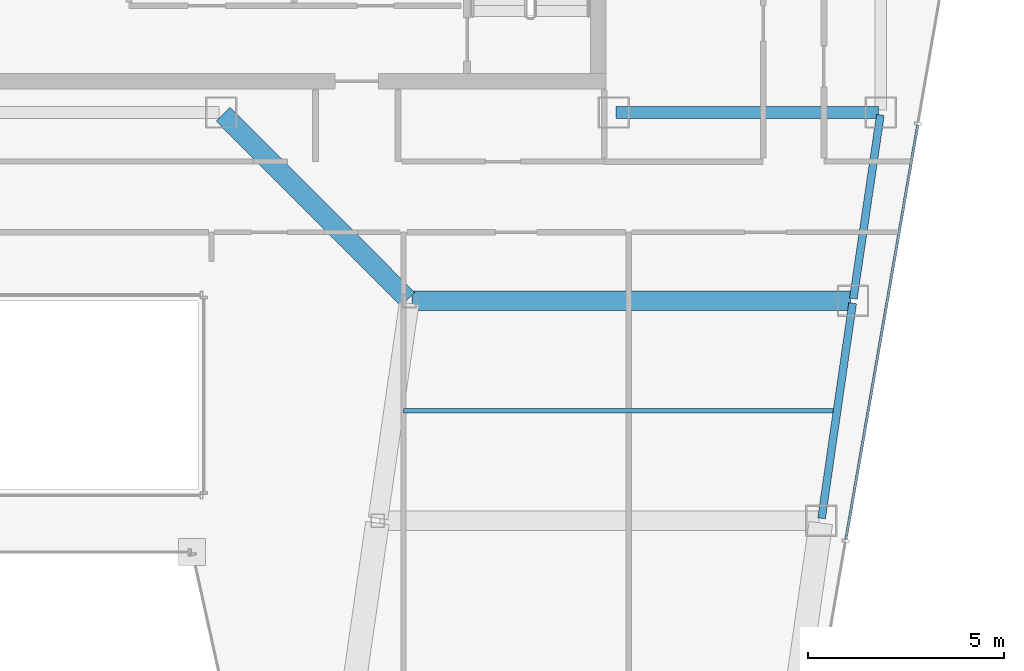
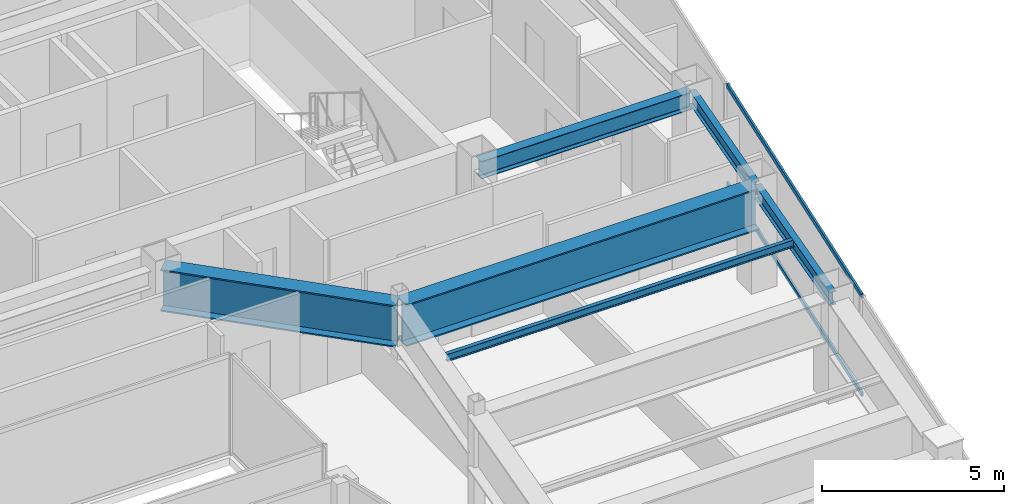
# One storey, part 19 of 35: 6 beams, 2 members, 1 element without a shape of its own.
"""IFC4 building model written with IfcOpenShell, lengths in metres."""

from ifc_helpers import new_model, si_unit, direction, frame, origin, origin_2d, place, context, subcontext, project, spatial, hollow_rectangle, i_section, extrude, material, material_profile, profile_set, type_object, element, aggregate, save


model = new_model("IFC4")

# Units and contexts
model_context = context("Model", 3, precision=1e-05, world=origin(), true_north=direction((0.0, 1.0)))
body_context = subcontext(model_context, "Body", "Model", "MODEL_VIEW")
ifc_project = project(units=[si_unit("LENGTHUNIT", "METRE"), si_unit("AREAUNIT", "SQUARE_METRE"), si_unit("VOLUMEUNIT", "CUBIC_METRE"), si_unit("PLANEANGLEUNIT", "RADIAN"), si_unit("MASSUNIT", "GRAM", prefix="KILO")], contexts=[model_context])

# Site, building, storey
site_placement = place(None, origin())
site = spatial("IfcSite", under=ifc_project, at=site_placement, CompositionType="ELEMENT")
building_placement = place(site_placement, origin())
building = spatial("IfcBuilding", under=site, at=building_placement, Name="Saevonmaru Cultural Tower", CompositionType="ELEMENT")
storey_placement = place(building_placement, frame((0.0, 0.0, 249.60009765625)))
storey = spatial("IfcBuildingStorey", under=building, at=storey_placement, Name="L58", CompositionType="ELEMENT", Elevation=249.60009765625)

# Beams
ifc_material_1 = material(Name="Steel SM355", Category="steel")
ifc_material_profile_1 = material_profile(ifc_material_1, i_section(OverallWidth=0.300048828125, OverallDepth=0.587890625, WebThickness=0.011962890625, FlangeThickness=0.02001953125, FilletRadius=0.02392578125, at=origin_2d()), Name="H-588x300x12x20")
ifc_profile_set_1 = profile_set([ifc_material_profile_1], Name="Steel SM355")
beam_type_1 = type_object("IfcBeamType", Name="BM-G-H588", PredefinedType="BEAM", material=ifc_profile_set_1)
beam_1_placement = place(storey_placement, frame((46.4599609375, 42.39990234375, 3.055908203125), z_axis=(1.0, 0.0, 0.0), x_axis=(0.0, 1.0, 0.0)))
element("IfcBeam", 1, at=beam_1_placement, inside=storey, type_object=beam_type_1, Name="L58 Core South Girder 5", PredefinedType="BEAM", context=body_context, shape_type="SweptSolid", body=[
    extrude(i_section(OverallWidth=0.300048828125, OverallDepth=0.587890625, WebThickness=0.011962890625, FlangeThickness=0.02001953125, FilletRadius=0.02392578125, at=origin_2d()), origin(), (0.0, 0.0, 1.0), 6.679931640625),
])
ifc_material_profile_2 = material_profile(ifc_material_1, i_section(OverallWidth=0.125, OverallDepth=0.25, WebThickness=0.006103515625, FlangeThickness=0.009033203125, FilletRadius=0.008056640625, at=origin_2d()), Name="H-250x125x6x9")
ifc_profile_set_2 = profile_set([ifc_material_profile_2], Name="Steel SM355")
beam_type_2 = type_object("IfcBeamType", Name="BM-J-H250", PredefinedType="JOIST", material=ifc_profile_set_2)
beam_2_placement = place(storey_placement, frame((41.04541015625, 34.800048828125, 3.224853515625), z_axis=(1.0, 0.0, 0.0), x_axis=(0.0, 1.0, 0.0)))
element("IfcBeam", 2, at=beam_2_placement, inside=storey, type_object=beam_type_2, Name="L58 East Wing Floor Joist 3", PredefinedType="JOIST", context=body_context, shape_type="SweptSolid", body=[
    extrude(i_section(OverallWidth=0.125, OverallDepth=0.25, WebThickness=0.006103515625, FlangeThickness=0.009033203125, FilletRadius=0.008056640625, at=origin_2d()), origin(), (0.0, 0.0, 1.0), 10.982177734375),
])
ifc_material_profile_3 = material_profile(ifc_material_1, i_section(OverallWidth=0.199951171875, OverallDepth=0.449951171875, WebThickness=0.009033203125, FlangeThickness=0.013916015625, FilletRadius=0.01806640625, at=origin_2d()), Name="H-450x200x9x14")
ifc_profile_set_3 = profile_set([ifc_material_profile_3], Name="Steel SM355")
beam_type_3 = type_object("IfcBeamType", Name="BM-SP-H450", PredefinedType="SPANDREL", material=ifc_profile_set_3)
beam_3_placement = place(storey_placement, frame((51.691650390625, 32.059326171875, 3.125), z_axis=(0.142964121327, 0.989727871697, 0.0), x_axis=(-0.989727871697, 0.142964121327, 0.0)))
element("IfcBeam", 3, at=beam_3_placement, inside=storey, type_object=beam_type_3, Name="L58 East Splayed Spandrel 3", PredefinedType="SPANDREL", context=body_context, shape_type="SweptSolid", body=[
    extrude(i_section(OverallWidth=0.199951171875, OverallDepth=0.449951171875, WebThickness=0.009033203125, FlangeThickness=0.013916015625, FilletRadius=0.01806640625, at=origin_2d()), origin(), (0.0, 0.0, 1.0), 5.5380859375),
])
beam_4_placement = place(storey_placement, frame((52.500732421875, 37.659423828125, 3.125), z_axis=(0.145912860028, 0.989297446312, 0.0), x_axis=(-0.989297446312, 0.145912860028, 0.0)))
element("IfcBeam", 4, at=beam_4_placement, inside=storey, type_object=beam_type_3, Name="L58 East Splayed Spandrel 4", PredefinedType="SPANDREL", context=body_context, shape_type="SweptSolid", body=[
    extrude(i_section(OverallWidth=0.199951171875, OverallDepth=0.449951171875, WebThickness=0.009033203125, FlangeThickness=0.013916015625, FilletRadius=0.01806640625, at=origin_2d()), origin(), (0.0, 0.0, 1.0), 4.731689453125),
])
ifc_material_2 = material(Name="Steel HSA600 (600 MPa)", Category="steel")
ifc_material_profile_4 = material_profile(ifc_material_2, i_section(OverallWidth=0.5, OverallDepth=1.39990234375, WebThickness=0.02392578125, FlangeThickness=0.044921875, at=origin_2d()), Name="PG-1400x500x24x45")
ifc_profile_set_4 = profile_set([ifc_material_profile_4], Name="Steel HSA600 (600 MPa)")
beam_type_4 = type_object("IfcBeamType", Name="BM-TG-PG1400", PredefinedType="BEAM", material=ifc_profile_set_4)
beam_5_placement = place(storey_placement, frame((41.149658203125, 37.642578125, 2.64990234375), z_axis=(-0.706538566564, 0.707674539572, 0.0), x_axis=(-0.707674539572, -0.706538566564, 0.0)))
element("IfcBeam", 5, at=beam_5_placement, inside=storey, type_object=beam_type_4, Name="L58 East Atrium Girder 4", PredefinedType="BEAM", context=body_context, shape_type="SweptSolid", body=[
    extrude(i_section(OverallWidth=0.5, OverallDepth=1.39990234375, WebThickness=0.02392578125, FlangeThickness=0.044921875, at=origin_2d()), origin(), (0.0, 0.0, 1.0), 6.662353515625),
])
beam_6_placement = place(storey_placement, frame((41.251953125, 37.60009765625, 2.64990234375), z_axis=(1.0, 0.0, 0.0), x_axis=(0.0, 1.0, 0.0)))
element("IfcBeam", 6, at=beam_6_placement, inside=storey, type_object=beam_type_4, Name="L58 East Wing Transverse Girder 4", PredefinedType="BEAM", context=body_context, shape_type="SweptSolid", body=[
    extrude(i_section(OverallWidth=0.5, OverallDepth=1.39990234375, WebThickness=0.02392578125, FlangeThickness=0.044921875, at=origin_2d()), origin(), (0.0, 0.0, 1.0), 11.179931640625),
])

# Curtain wall, members
ifc_material_3 = material(Name="Satin Bronze Anodised Aluminium", Category="aluminium")
curtain_wall_type = type_object("IfcCurtainWallType", Name="CW-TYP-B", PredefinedType="NOTDEFINED", material=ifc_material_3)
curtain_wall_placement = place(storey_placement, origin())
curtain_wall = element("IfcCurtainWall", 7, at=curtain_wall_placement, inside=storey, type_object=curtain_wall_type, Name="L58 Unitised Curtain Wall E8", PredefinedType="NOTDEFINED")
ifc_material_profile_5 = material_profile(ifc_material_3, hollow_rectangle(XDim=0.06494140625, YDim=0.14990234375, WallThickness=0.00390625, at=origin_2d()), Name="ALU-TRAN-150x65x4")
ifc_profile_set_5 = profile_set([ifc_material_profile_5], Name="Satin Bronze Anodised Aluminium")
member_type = type_object("IfcMemberType", Name="TR-CW-150x65", PredefinedType="USERDEFINED", material=ifc_profile_set_5)
member_1_placement = place(storey_placement, frame((52.31103515625, 31.518310546875, 0.032470703125), z_axis=(0.170795272137, 0.985306538604, 0.0), x_axis=(-0.985306538604, 0.170795272137, 0.0)))
member_1 = element("IfcMember", 8, at=member_1_placement, type_object=member_type, Name="CW-TW-L58-E8 transom 2.1", ObjectType="TRANSOM", PredefinedType="USERDEFINED", context=body_context, shape_type="SweptSolid", body=[
    extrude(hollow_rectangle(XDim=0.06494140625, YDim=0.14990234375, WallThickness=0.00390625, at=origin_2d()), origin(), (0.0, 0.0, 1.0), 10.720703125),
])
member_2_placement = place(storey_placement, frame((52.31103515625, 31.518310546875, 3.3173828125), z_axis=(0.170795272137, 0.985306538604, 0.0), x_axis=(-0.985306538604, 0.170795272137, 0.0)))
member_2 = element("IfcMember", 9, at=member_2_placement, type_object=member_type, Name="CW-TW-L58-E8 transom 2.2", ObjectType="TRANSOM", PredefinedType="USERDEFINED", context=body_context, shape_type="SweptSolid", body=[
    extrude(hollow_rectangle(XDim=0.06494140625, YDim=0.14990234375, WallThickness=0.00390625, at=origin_2d()), origin(), (0.0, 0.0, 1.0), 10.720703125),
])
aggregate(curtain_wall, [member_1, member_2])

save(model, "model.ifc")
